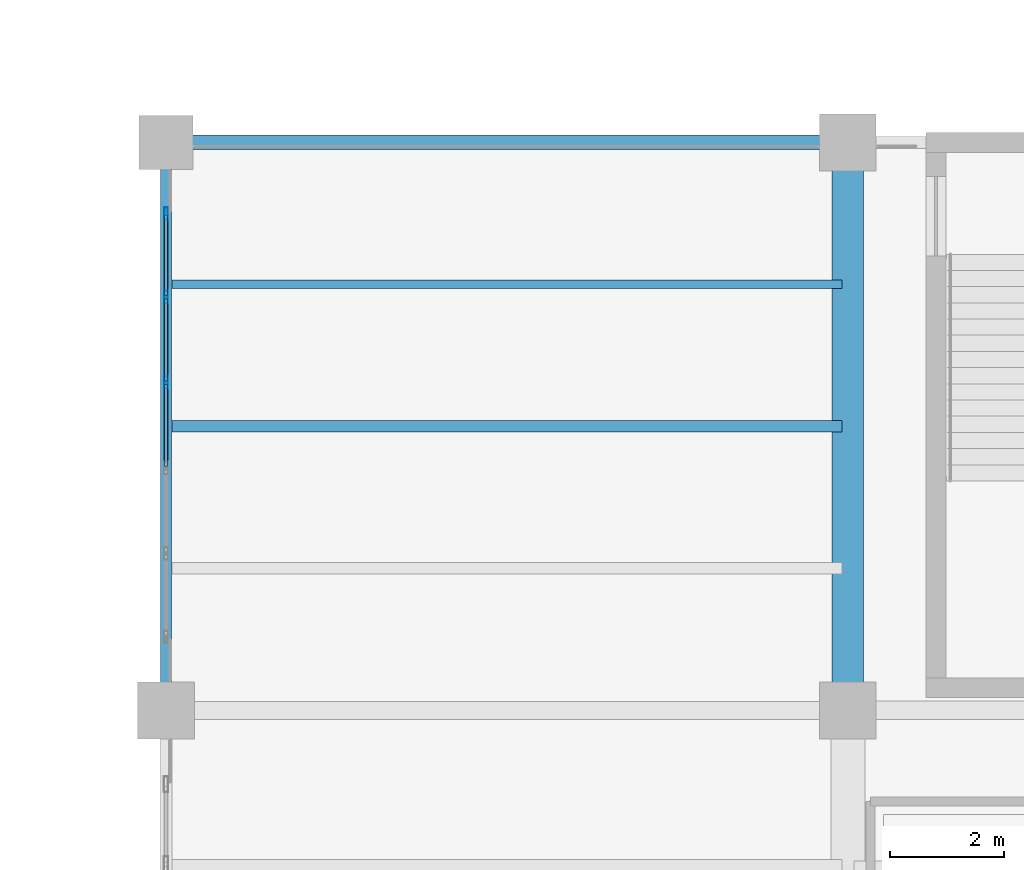
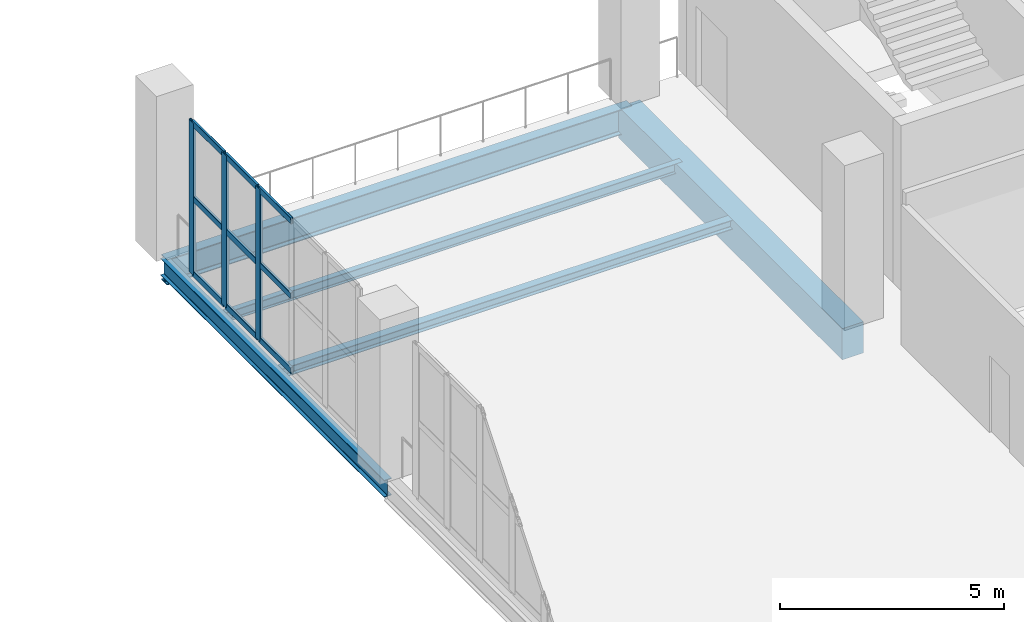
# One storey, part 42 of 108: 12 members, 5 beams, 1 element without a shape of its own.
"""IFC4 building model written with IfcOpenShell, lengths in metres."""

import ifcopenshell
import ifcopenshell.guid

model = None  # the IFC model being written
_history = None  # IfcOwnerHistory: only IFC2X3 demands one
_inside = {}  # id of a spatial element -> (the spatial element, [elements in it])
_under = {}  # id of a project, library or spatial element -> (it, [spatial elements below it])
_declared = {}  # id of a project -> (the project, [libraries it declares])
_typed = {}  # id of a type object -> (the type object, [elements of that type])
_made_of = {}  # id of a material, layer set ... -> (it, [elements and type objects made of it])


def new_model(schema):
    """Start an empty IFC model of exactly this schema.

    Asked for "IFC4X3", IfcOpenShell would pick the latest addendum, in which some entities
    have other attributes; the version numbers below select the first issue.
    IFC2X3 requires an IfcOwnerHistory on every rooted entity: one is made here for all.
    """
    global model, _history
    if schema == "IFC4X3":
        model = ifcopenshell.file(schema_version=(4, 3, 0, 0))
    else:
        model = ifcopenshell.file(schema=schema)
    _inside.clear()
    _under.clear()
    _declared.clear()
    _typed.clear()
    _made_of.clear()
    _history = None
    if model.schema == "IFC2X3":
        org = make("IfcOrganization", Name="unknown")
        user = make(
            "IfcPersonAndOrganization",
            ThePerson=make("IfcPerson", FamilyName="unknown"),
            TheOrganization=org,
        )
        app = make(
            "IfcApplication",
            ApplicationDeveloper=org,
            Version="unknown",
            ApplicationFullName="unknown",
            ApplicationIdentifier="unknown",
        )
        _history = make(
            "IfcOwnerHistory",
            OwningUser=user,
            OwningApplication=app,
            ChangeAction="ADDED",
            CreationDate=0,
        )
    return model


def make(cls, **values):
    """One entity of the class cls with the attributes given. An attribute that is None is left unset."""
    return model.create_entity(
        cls, **{name: value for name, value in values.items() if value is not None}
    )


def rooted(cls, **values):
    """An entity with a GlobalId (a new one), such as an element, a storey or a relation."""
    return make(cls, GlobalId=ifcopenshell.guid.new(), OwnerHistory=_history, **values)


def si_unit(unit_type, name, prefix=None):
    """IfcSIUnit, for example si_unit("LENGTHUNIT", "METRE", prefix="MILLI")."""
    return make("IfcSIUnit", UnitType=unit_type, Prefix=prefix, Name=name)


def assignment(units):
    """IfcUnitAssignment: the units of a project."""
    return None if units is None else make("IfcUnitAssignment", Units=units)


def point(xyz):
    """IfcCartesianPoint."""
    return None if xyz is None else make("IfcCartesianPoint", Coordinates=xyz)


def direction(xyz):
    """IfcDirection."""
    return None if xyz is None else make("IfcDirection", DirectionRatios=xyz)


def frame(location, z_axis=None, x_axis=None):
    """IfcAxis2Placement3D, a coordinate frame: its origin and axes. An axis left out is left unset."""
    return make(
        "IfcAxis2Placement3D",
        Location=point(location),
        Axis=direction(z_axis),
        RefDirection=direction(x_axis),
    )


def frame_2d(location, x_axis=None):
    """IfcAxis2Placement2D, a coordinate frame in the plane: its origin and x axis."""
    return make(
        "IfcAxis2Placement2D", Location=point(location), RefDirection=direction(x_axis)
    )


def origin():
    """The frame at (0, 0, 0) with its axes left unset."""
    return frame((0.0, 0.0, 0.0))


def origin_2d():
    """The frame at (0, 0) in the plane with its x axis left unset."""
    return frame_2d((0.0, 0.0))


def place(relative_to, where):
    """IfcLocalPlacement: puts the frame where relative to a parent placement (None: the world)."""
    return make(
        "IfcLocalPlacement", PlacementRelTo=relative_to, RelativePlacement=where
    )


def context(
    kind, dimensions, precision=None, world=None, true_north=None, identifier=None
):
    """IfcGeometricRepresentationContext, for example the 3D "Model" context."""
    return make(
        "IfcGeometricRepresentationContext",
        ContextIdentifier=identifier,
        ContextType=kind,
        CoordinateSpaceDimension=dimensions,
        Precision=precision,
        WorldCoordinateSystem=world,
        TrueNorth=true_north,
    )


def subcontext(parent, identifier, kind, view, scale=None):
    """IfcGeometricRepresentationSubContext, for example "Body" below "Model"."""
    return make(
        "IfcGeometricRepresentationSubContext",
        ContextIdentifier=identifier,
        ContextType=kind,
        ParentContext=parent,
        TargetScale=scale,
        TargetView=view,
    )


def project(units=None, contexts=None):
    """IfcProject with its units and contexts."""
    return rooted(
        "IfcProject",
        Name="project",
        RepresentationContexts=contexts,
        UnitsInContext=assignment(units),
    )


def spatial(cls, under=None, at=None, **own):
    """A site, building, storey or space (cls), placed at a placement, below another one or the project."""
    s = rooted(cls, ObjectPlacement=at, **own)
    if under is not None:
        _under.setdefault(under.id(), (under, []))[1].append(s)
    return s


def profile(cls, at=None, kind="AREA", **sizes):
    """A parametric profile (cls). Its sizes go by their IFC names, for example OverallWidth=200.0."""
    return make(cls, ProfileType=kind, Position=at, **sizes)


def rectangle(**sizes):
    """IfcRectangleProfileDef."""
    return profile("IfcRectangleProfileDef", **sizes)


def hollow_rectangle(**sizes):
    """IfcRectangleHollowProfileDef."""
    return profile("IfcRectangleHollowProfileDef", **sizes)


def i_section(**sizes):
    """IfcIShapeProfileDef."""
    return profile("IfcIShapeProfileDef", **sizes)


def extrude(swept, where, along, depth):
    """IfcExtrudedAreaSolid: the profile swept, set in the frame where, extruded along a direction by depth."""
    return make(
        "IfcExtrudedAreaSolid",
        SweptArea=swept,
        Position=where,
        ExtrudedDirection=direction(along),
        Depth=depth,
    )


def shape(context_of_items, identifier, shape_type, items):
    """IfcShapeRepresentation: the items that make up one representation, for example the "Body"."""
    return make(
        "IfcShapeRepresentation",
        ContextOfItems=context_of_items,
        RepresentationIdentifier=identifier,
        RepresentationType=shape_type,
        Items=items,
    )


def material(Name=None, Category=None):
    """IfcMaterial."""
    return make("IfcMaterial", Name=Name, Category=Category)


def layer(
    of_material, thickness, ventilated=None, Name=None, Category=None, Priority=None
):
    """IfcMaterialLayer: one layer of a wall or slab, of a material (None: an air gap)."""
    return make(
        "IfcMaterialLayer",
        Material=of_material,
        LayerThickness=thickness,
        IsVentilated=ventilated,
        Name=Name,
        Category=Category,
        Priority=Priority,
    )


def layer_set(layers, Name=None):
    """IfcMaterialLayerSet."""
    return make("IfcMaterialLayerSet", MaterialLayers=layers, LayerSetName=Name)


def material_profile(
    of_material, cross_section, Name=None, Category=None, Priority=None
):
    """IfcMaterialProfile: a cross section and its material."""
    return make(
        "IfcMaterialProfile",
        Name=Name,
        Material=of_material,
        Profile=cross_section,
        Priority=Priority,
        Category=Category,
    )


def profile_set(profiles, Name=None, composite=None):
    """IfcMaterialProfileSet."""
    return make(
        "IfcMaterialProfileSet",
        Name=Name,
        MaterialProfiles=profiles,
        CompositeProfile=composite,
    )


def made_of(thing, what):
    """Note that an element or type object is made of a material, layer set ...; save() writes the relation."""
    if what is not None:
        _made_of.setdefault(what.id(), (what, []))[1].append(thing)
    return thing


def type_object(cls, material=None, **own):
    """A type object (cls), such as IfcWallType, which elements share."""
    return made_of(rooted(cls, **own), material)


def element(
    cls,
    number,
    at=None,
    inside=None,
    cuts=None,
    type_object=None,
    material=None,
    context=None,
    identifier="Body",
    shape_type=None,
    held_by="IfcProductDefinitionShape",
    body=None,
    shapes=None,
    **own,
):
    """One element of the class cls, such as IfcWall. Its Tag is "e" and its number.

    at: its placement. inside: the storey or other place that contains it. cuts: it is an
    opening in that element (IfcRelVoidsElement). A single representation is given by context,
    identifier, shape_type and body (its items); several are given by shapes. held_by: the class
    of the entity that holds the representations. save() writes the other relations.
    """
    e = rooted(cls, Tag="e%d" % number, ObjectPlacement=at, **own)
    if body is not None:
        shapes = [shape(context, identifier, shape_type, body)]
    if shapes is not None:
        e.Representation = make(held_by, Representations=shapes)
    if inside is not None:
        _inside.setdefault(inside.id(), (inside, []))[1].append(e)
    if cuts is not None:
        rooted(
            "IfcRelVoidsElement", RelatingBuildingElement=cuts, RelatedOpeningElement=e
        )
    if type_object is not None:
        _typed.setdefault(type_object.id(), (type_object, []))[1].append(e)
    return made_of(e, material)


def aggregate(whole, parts):
    """IfcRelAggregates: a whole, such as a stair, and the parts it consists of."""
    return rooted("IfcRelAggregates", RelatingObject=whole, RelatedObjects=parts)


def save(model, path):
    """Write the relations noted so far, then the file.

    IfcRelAggregates (storeys below a building ...), IfcRelContainedInSpatialStructure (elements
    in a storey), IfcRelDefinesByType, IfcRelAssociatesMaterial and IfcRelDeclares: one each for
    every whole, place, type object, material and project.
    """
    for whole, parts in _under.values():
        aggregate(whole, parts)
    for where, things in _inside.values():
        rooted(
            "IfcRelContainedInSpatialStructure",
            RelatedElements=things,
            RelatingStructure=where,
        )
    for kind, things in _typed.values():
        rooted("IfcRelDefinesByType", RelatedObjects=things, RelatingType=kind)
    for what, things in _made_of.values():
        rooted("IfcRelAssociatesMaterial", RelatedObjects=things, RelatingMaterial=what)
    for by, libraries in _declared.values():
        rooted("IfcRelDeclares", RelatingContext=by, RelatedDefinitions=libraries)
    model.write(path)


model = new_model("IFC4")

# Units and contexts
model_context = context("Model", 3, precision=1e-05, world=origin(), true_north=direction((0.0, 1.0)))
body_context = subcontext(model_context, "Body", "Model", "MODEL_VIEW")
ifc_project = project(units=[si_unit("LENGTHUNIT", "METRE"), si_unit("AREAUNIT", "SQUARE_METRE"), si_unit("VOLUMEUNIT", "CUBIC_METRE"), si_unit("PLANEANGLEUNIT", "RADIAN"), si_unit("MASSUNIT", "GRAM", prefix="KILO")], contexts=[model_context])

# Site, building, storey
site_placement = place(None, origin())
site = spatial("IfcSite", under=ifc_project, at=site_placement, CompositionType="ELEMENT")
building_placement = place(site_placement, origin())
building = spatial("IfcBuilding", under=site, at=building_placement, Name="Brinegate Civic Arena", CompositionType="ELEMENT")
storey_placement = place(building_placement, frame((0.0, 0.0, 10.199951171875)))
storey = spatial("IfcBuildingStorey", under=building, at=storey_placement, Name="L02", CompositionType="ELEMENT", Elevation=10.199951171875)

# Curtain wall, members
ifc_material_1 = material(Name="Marine grade aluminium", Category="aluminium")
ifc_layer = layer(ifc_material_1, 0.199951171875, Name="Marine grade aluminium")
ifc_layer_set = layer_set([ifc_layer], Name="Marine grade aluminium")
curtain_wall_type = type_object("IfcCurtainWallType", Name="CW-BOWL-GLAZED-01", PredefinedType="USERDEFINED", material=ifc_layer_set)
curtain_wall_placement = place(storey_placement, origin())
curtain_wall = element("IfcCurtainWall", 1, at=curtain_wall_placement, inside=storey, type_object=curtain_wall_type, Name="Curtain Wall CWA-093", ObjectType="GLAZED CURTAIN WALL", PredefinedType="USERDEFINED")
ifc_material_profile_1 = material_profile(ifc_material_1, hollow_rectangle(XDim=0.06494140625, YDim=0.219970703125, WallThickness=0.006103515625, InnerFilletRadius=0.00390625, OuterFilletRadius=0.008056640625, at=origin_2d()), Name="MUL65X220")
ifc_profile_set_1 = profile_set([ifc_material_profile_1], Name="Marine grade aluminium")
member_type_1 = type_object("IfcMemberType", Name="CW-MULLION-65X220", PredefinedType="MULLION", material=ifc_profile_set_1)
member_1_placement = place(storey_placement, frame((48.0, 109.76953125, 0.0), z_axis=(0.0, 0.0, 1.0), x_axis=(-1.0, 0.0, 0.0)))
member_1 = element("IfcMember", 2, at=member_1_placement, type_object=member_type_1, Name="CWA-093 mullion 4", PredefinedType="MULLION", context=body_context, shape_type="SweptSolid", body=[
    extrude(hollow_rectangle(XDim=0.06494140625, YDim=0.219970703125, WallThickness=0.006103515625, InnerFilletRadius=0.00390625, OuterFilletRadius=0.008056640625, at=origin_2d()), origin(), (0.0, 0.0, 1.0), 4.150146484375),
])
member_2_placement = place(storey_placement, frame((48.0, 111.273681640625, 0.0), z_axis=(0.0, 0.0, 1.0), x_axis=(-1.0, 0.0, 0.0)))
member_2 = element("IfcMember", 3, at=member_2_placement, type_object=member_type_1, Name="CWA-093 mullion 5", PredefinedType="MULLION", context=body_context, shape_type="SweptSolid", body=[
    extrude(hollow_rectangle(XDim=0.06494140625, YDim=0.219970703125, WallThickness=0.006103515625, InnerFilletRadius=0.00390625, OuterFilletRadius=0.008056640625, at=origin_2d()), origin(), (0.0, 0.0, 1.0), 4.150146484375),
])
member_3_placement = place(storey_placement, frame((48.0, 112.74560546875, 0.0), z_axis=(0.0, 0.0, 1.0), x_axis=(-1.0, 0.0, 0.0)))
member_3 = element("IfcMember", 4, at=member_3_placement, type_object=member_type_1, Name="CWA-093 mullion 6", PredefinedType="MULLION", context=body_context, shape_type="SweptSolid", body=[
    extrude(hollow_rectangle(XDim=0.06494140625, YDim=0.219970703125, WallThickness=0.006103515625, InnerFilletRadius=0.00390625, OuterFilletRadius=0.008056640625, at=origin_2d()), origin(), (0.0, 0.0, 1.0), 4.150146484375),
])
ifc_material_profile_2 = material_profile(ifc_material_1, hollow_rectangle(XDim=0.06494140625, YDim=0.1650390625, WallThickness=0.0048828125, InnerFilletRadius=0.00390625, OuterFilletRadius=0.008056640625, at=origin_2d()), Name="TRN65X165")
ifc_profile_set_2 = profile_set([ifc_material_profile_2], Name="Marine grade aluminium")
member_type_2 = type_object("IfcMemberType", Name="CW-TRANSOM-65X165", PredefinedType="USERDEFINED", material=ifc_profile_set_2)
member_4_placement = place(storey_placement, frame((48.0, 108.2978515625, 0.032470703125), z_axis=(0.0, 1.0, 0.0), x_axis=(-1.0, 0.0, 0.0)))
member_4 = element("IfcMember", 5, at=member_4_placement, type_object=member_type_2, Name="CWA-093 transom 3.1", ObjectType="TRANSOM", PredefinedType="USERDEFINED", context=body_context, shape_type="SweptSolid", body=[
    extrude(hollow_rectangle(XDim=0.06494140625, YDim=0.1650390625, WallThickness=0.0048828125, InnerFilletRadius=0.00390625, OuterFilletRadius=0.008056640625, at=origin_2d()), origin(), (0.0, 0.0, 1.0), 1.439208984375),
])
member_5_placement = place(storey_placement, frame((48.0, 108.2978515625, 2.074951171875), z_axis=(0.0, 1.0, 0.0), x_axis=(-1.0, 0.0, 0.0)))
member_5 = element("IfcMember", 6, at=member_5_placement, type_object=member_type_2, Name="CWA-093 transom 3.2", ObjectType="TRANSOM", PredefinedType="USERDEFINED", context=body_context, shape_type="SweptSolid", body=[
    extrude(hollow_rectangle(XDim=0.06494140625, YDim=0.1650390625, WallThickness=0.0048828125, InnerFilletRadius=0.00390625, OuterFilletRadius=0.008056640625, at=origin_2d()), origin(), (0.0, 0.0, 1.0), 1.439208984375),
])
member_6_placement = place(storey_placement, frame((48.0, 108.2978515625, 4.117431640625), z_axis=(0.0, 1.0, 0.0), x_axis=(-1.0, 0.0, 0.0)))
member_6 = element("IfcMember", 7, at=member_6_placement, type_object=member_type_2, Name="CWA-093 transom 3.3", ObjectType="TRANSOM", PredefinedType="USERDEFINED", context=body_context, shape_type="SweptSolid", body=[
    extrude(hollow_rectangle(XDim=0.06494140625, YDim=0.1650390625, WallThickness=0.0048828125, InnerFilletRadius=0.00390625, OuterFilletRadius=0.008056640625, at=origin_2d()), origin(), (0.0, 0.0, 1.0), 1.439208984375),
])
member_7_placement = place(storey_placement, frame((48.0, 109.802001953125, 0.032470703125), z_axis=(0.0, 1.0, 0.0), x_axis=(-1.0, 0.0, 0.0)))
member_7 = element("IfcMember", 8, at=member_7_placement, type_object=member_type_2, Name="CWA-093 transom 4.1", ObjectType="TRANSOM", PredefinedType="USERDEFINED", context=body_context, shape_type="SweptSolid", body=[
    extrude(hollow_rectangle(XDim=0.06494140625, YDim=0.1650390625, WallThickness=0.0048828125, InnerFilletRadius=0.00390625, OuterFilletRadius=0.008056640625, at=origin_2d()), origin(), (0.0, 0.0, 1.0), 1.439208984375),
])
member_8_placement = place(storey_placement, frame((48.0, 109.802001953125, 2.074951171875), z_axis=(0.0, 1.0, 0.0), x_axis=(-1.0, 0.0, 0.0)))
member_8 = element("IfcMember", 9, at=member_8_placement, type_object=member_type_2, Name="CWA-093 transom 4.2", ObjectType="TRANSOM", PredefinedType="USERDEFINED", context=body_context, shape_type="SweptSolid", body=[
    extrude(hollow_rectangle(XDim=0.06494140625, YDim=0.1650390625, WallThickness=0.0048828125, InnerFilletRadius=0.00390625, OuterFilletRadius=0.008056640625, at=origin_2d()), origin(), (0.0, 0.0, 1.0), 1.439208984375),
])
member_9_placement = place(storey_placement, frame((48.0, 109.802001953125, 4.117431640625), z_axis=(0.0, 1.0, 0.0), x_axis=(-1.0, 0.0, 0.0)))
member_9 = element("IfcMember", 10, at=member_9_placement, type_object=member_type_2, Name="CWA-093 transom 4.3", ObjectType="TRANSOM", PredefinedType="USERDEFINED", context=body_context, shape_type="SweptSolid", body=[
    extrude(hollow_rectangle(XDim=0.06494140625, YDim=0.1650390625, WallThickness=0.0048828125, InnerFilletRadius=0.00390625, OuterFilletRadius=0.008056640625, at=origin_2d()), origin(), (0.0, 0.0, 1.0), 1.439208984375),
])
member_10_placement = place(storey_placement, frame((48.0, 111.306396484375, 0.032470703125), z_axis=(0.0, 1.0, 0.0), x_axis=(-1.0, 0.0, 0.0)))
member_10 = element("IfcMember", 11, at=member_10_placement, type_object=member_type_2, Name="CWA-093 transom 5.1", ObjectType="TRANSOM", PredefinedType="USERDEFINED", context=body_context, shape_type="SweptSolid", body=[
    extrude(hollow_rectangle(XDim=0.06494140625, YDim=0.1650390625, WallThickness=0.0048828125, InnerFilletRadius=0.00390625, OuterFilletRadius=0.008056640625, at=origin_2d()), origin(), (0.0, 0.0, 1.0), 1.406494140625),
])
member_11_placement = place(storey_placement, frame((48.0, 111.306396484375, 2.074951171875), z_axis=(0.0, 1.0, 0.0), x_axis=(-1.0, 0.0, 0.0)))
member_11 = element("IfcMember", 12, at=member_11_placement, type_object=member_type_2, Name="CWA-093 transom 5.2", ObjectType="TRANSOM", PredefinedType="USERDEFINED", context=body_context, shape_type="SweptSolid", body=[
    extrude(hollow_rectangle(XDim=0.06494140625, YDim=0.1650390625, WallThickness=0.0048828125, InnerFilletRadius=0.00390625, OuterFilletRadius=0.008056640625, at=origin_2d()), origin(), (0.0, 0.0, 1.0), 1.406494140625),
])
member_12_placement = place(storey_placement, frame((48.0, 111.306396484375, 4.117431640625), z_axis=(0.0, 1.0, 0.0), x_axis=(-1.0, 0.0, 0.0)))
member_12 = element("IfcMember", 13, at=member_12_placement, type_object=member_type_2, Name="CWA-093 transom 5.3", ObjectType="TRANSOM", PredefinedType="USERDEFINED", context=body_context, shape_type="SweptSolid", body=[
    extrude(hollow_rectangle(XDim=0.06494140625, YDim=0.1650390625, WallThickness=0.0048828125, InnerFilletRadius=0.00390625, OuterFilletRadius=0.008056640625, at=origin_2d()), origin(), (0.0, 0.0, 1.0), 1.406494140625),
])
aggregate(curtain_wall, [member_1, member_2, member_3, member_4, member_5, member_6, member_7, member_8, member_9, member_10, member_11, member_12])

# Beams
ifc_material_2 = material(Name="Steel S355", Category="steel")
ifc_material_profile_3 = material_profile(ifc_material_2, i_section(OverallWidth=0.14794921875, OverallDepth=0.26611328125, WebThickness=0.008056640625, FlangeThickness=0.012939453125, FilletRadius=0.011962890625, at=origin_2d()), Name="W250X45")
ifc_profile_set_3 = profile_set([ifc_material_profile_3], Name="Steel S355")
beam_type_1 = type_object("IfcBeamType", Name="JOIST-W250X45", PredefinedType="JOIST", material=ifc_profile_set_3)
beam_1_placement = place(storey_placement, frame((48.10595703125, 111.5, -0.462890625), z_axis=(1.0, 0.0, 0.0), x_axis=(0.0, 1.0, 0.0)))
element("IfcBeam", 14, at=beam_1_placement, inside=storey, type_object=beam_type_1, Name="Secondary Joist BM-L02-JX-04-10-3", PredefinedType="JOIST", context=body_context, shape_type="SweptSolid", body=[
    extrude(i_section(OverallWidth=0.14794921875, OverallDepth=0.26611328125, WebThickness=0.008056640625, FlangeThickness=0.012939453125, FilletRadius=0.011962890625, at=origin_2d()), origin(), (0.0, 0.0, 1.0), 11.7880859375),
])
ifc_material_profile_4 = material_profile(ifc_material_2, i_section(OverallWidth=0.202880859375, OverallDepth=0.251953125, WebThickness=0.008056640625, FlangeThickness=0.013916015625, FilletRadius=0.011962890625, at=origin_2d()), Name="W250X58")
ifc_profile_set_4 = profile_set([ifc_material_profile_4], Name="Steel S355")
beam_type_2 = type_object("IfcBeamType", Name="JOIST-W250X58", PredefinedType="JOIST", material=ifc_profile_set_4)
beam_2_placement = place(storey_placement, frame((48.10595703125, 109.0, -0.4560546875), z_axis=(1.0, 0.0, 0.0), x_axis=(0.0, 1.0, 0.0)))
element("IfcBeam", 15, at=beam_2_placement, inside=storey, type_object=beam_type_2, Name="Secondary Joist BM-L02-JX-04-10-2", PredefinedType="JOIST", context=body_context, shape_type="SweptSolid", body=[
    extrude(i_section(OverallWidth=0.202880859375, OverallDepth=0.251953125, WebThickness=0.008056640625, FlangeThickness=0.013916015625, FilletRadius=0.011962890625, at=origin_2d()), origin(), (0.0, 0.0, 1.0), 11.7880859375),
])
ifc_material_3 = material(Name="Concrete C50/60", Category="concrete")
ifc_material_profile_5 = material_profile(ifc_material_3, rectangle(XDim=0.550048828125, YDim=0.85009765625, at=origin_2d()), Name="RCB550X850")
ifc_profile_set_5 = profile_set([ifc_material_profile_5], Name="Concrete C50/60")
beam_type_3 = type_object("IfcBeamType", Name="RCG-550X850", PredefinedType="BEAM", material=ifc_profile_set_5)
beam_3_placement = place(storey_placement, frame((60.0, 104.0, -0.7548828125), z_axis=(0.0, 1.0, 0.0), x_axis=(-1.0, 0.0, 0.0)))
element("IfcBeam", 16, at=beam_3_placement, inside=storey, type_object=beam_type_3, Name="Floor Girder BM-L02-GY-05-10", PredefinedType="BEAM", context=body_context, shape_type="SweptSolid", body=[
    extrude(rectangle(XDim=0.550048828125, YDim=0.85009765625, at=origin_2d()), origin(), (0.0, 0.0, 1.0), 10.0),
])
ifc_material_profile_6 = material_profile(ifc_material_2, i_section(OverallWidth=0.193115234375, OverallDepth=0.466064453125, WebThickness=0.010986328125, FlangeThickness=0.01904296875, FilletRadius=0.014892578125, at=origin_2d()), Name="W460X97")
ifc_profile_set_6 = profile_set([ifc_material_profile_6], Name="Steel S355")
beam_type_4 = type_object("IfcBeamType", Name="SPANDREL-W460X97", PredefinedType="SPANDREL", material=ifc_profile_set_6)
beam_4_placement = place(storey_placement, frame((48.0, 104.0, -0.56298828125), z_axis=(0.0, 1.0, 0.0), x_axis=(-1.0, 0.0, 0.0)))
element("IfcBeam", 17, at=beam_4_placement, inside=storey, type_object=beam_type_4, Name="Floor Girder BM-L02-GY-04-10", PredefinedType="SPANDREL", context=body_context, shape_type="SweptSolid", body=[
    extrude(i_section(OverallWidth=0.193115234375, OverallDepth=0.466064453125, WebThickness=0.010986328125, FlangeThickness=0.01904296875, FilletRadius=0.014892578125, at=origin_2d()), origin(), (0.0, 0.0, 1.0), 10.0),
])
ifc_material_profile_7 = material_profile(ifc_material_2, i_section(OverallWidth=0.256103515625, OverallDepth=0.693115234375, WebThickness=0.014892578125, FlangeThickness=0.02392578125, FilletRadius=0.01806640625, at=origin_2d()), Name="W690X170")
ifc_profile_set_7 = profile_set([ifc_material_profile_7], Name="Steel S355")
beam_type_5 = type_object("IfcBeamType", Name="SPANDREL-W690X170", PredefinedType="SPANDREL", material=ifc_profile_set_7)
beam_5_placement = place(storey_placement, frame((48.0, 114.0, -0.676025390625), z_axis=(1.0, 0.0, 0.0), x_axis=(0.0, 1.0, 0.0)))
element("IfcBeam", 18, at=beam_5_placement, inside=storey, type_object=beam_type_5, Name="Floor Girder BM-L02-GX-04-11", PredefinedType="SPANDREL", context=body_context, shape_type="SweptSolid", body=[
    extrude(i_section(OverallWidth=0.256103515625, OverallDepth=0.693115234375, WebThickness=0.014892578125, FlangeThickness=0.02392578125, FilletRadius=0.01806640625, at=origin_2d()), origin(), (0.0, 0.0, 1.0), 12.0),
])

save(model, "model.ifc")
